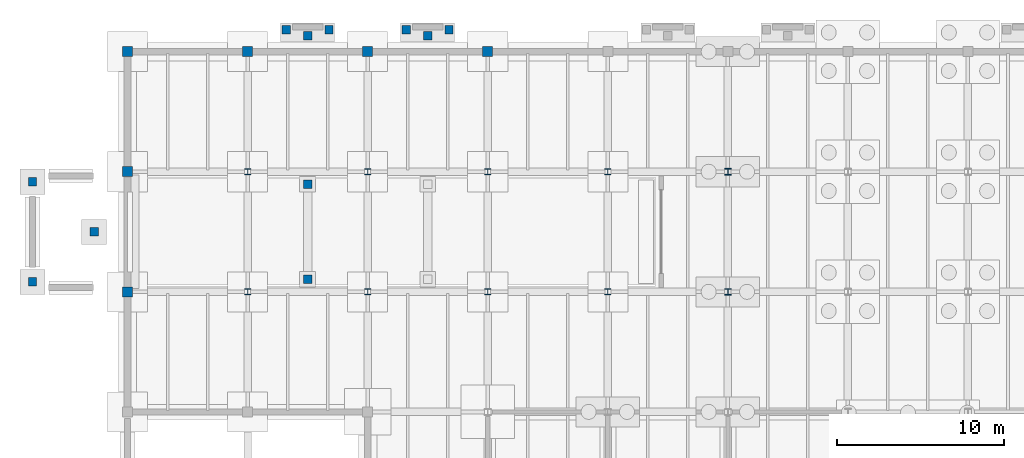
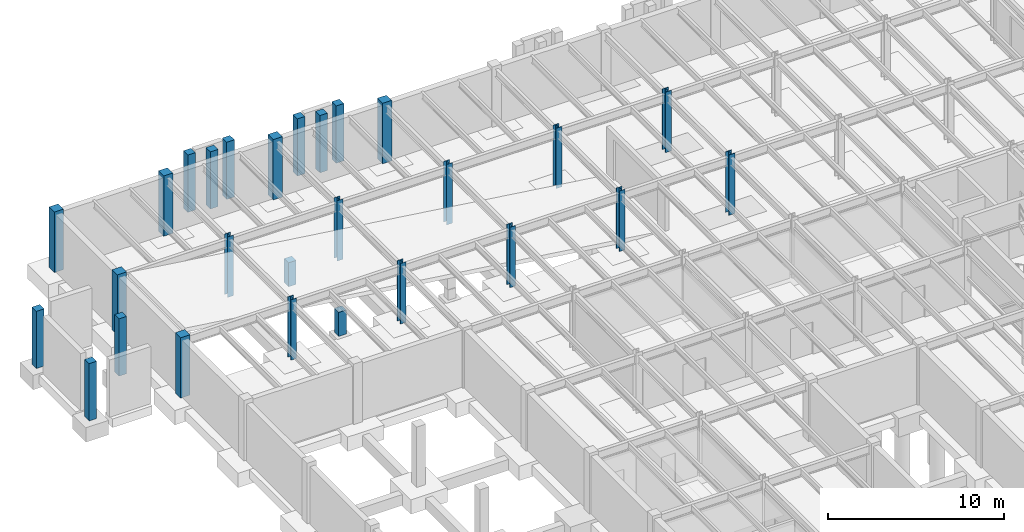
# One storey, part 15 of 46: 27 columns.
"""IFC4 building model written with IfcOpenShell, lengths in metres."""

import ifcopenshell
import ifcopenshell.guid

model = None  # the IFC model being written
_history = None  # IfcOwnerHistory: only IFC2X3 demands one
_inside = {}  # id of a spatial element -> (the spatial element, [elements in it])
_under = {}  # id of a project, library or spatial element -> (it, [spatial elements below it])
_declared = {}  # id of a project -> (the project, [libraries it declares])
_typed = {}  # id of a type object -> (the type object, [elements of that type])
_made_of = {}  # id of a material, layer set ... -> (it, [elements and type objects made of it])


def new_model(schema):
    """Start an empty IFC model of exactly this schema.

    Asked for "IFC4X3", IfcOpenShell would pick the latest addendum, in which some entities
    have other attributes; the version numbers below select the first issue.
    IFC2X3 requires an IfcOwnerHistory on every rooted entity: one is made here for all.
    """
    global model, _history
    if schema == "IFC4X3":
        model = ifcopenshell.file(schema_version=(4, 3, 0, 0))
    else:
        model = ifcopenshell.file(schema=schema)
    _inside.clear()
    _under.clear()
    _declared.clear()
    _typed.clear()
    _made_of.clear()
    _history = None
    if model.schema == "IFC2X3":
        org = make("IfcOrganization", Name="unknown")
        user = make(
            "IfcPersonAndOrganization",
            ThePerson=make("IfcPerson", FamilyName="unknown"),
            TheOrganization=org,
        )
        app = make(
            "IfcApplication",
            ApplicationDeveloper=org,
            Version="unknown",
            ApplicationFullName="unknown",
            ApplicationIdentifier="unknown",
        )
        _history = make(
            "IfcOwnerHistory",
            OwningUser=user,
            OwningApplication=app,
            ChangeAction="ADDED",
            CreationDate=0,
        )
    return model


def make(cls, **values):
    """One entity of the class cls with the attributes given. An attribute that is None is left unset."""
    return model.create_entity(
        cls, **{name: value for name, value in values.items() if value is not None}
    )


def rooted(cls, **values):
    """An entity with a GlobalId (a new one), such as an element, a storey or a relation."""
    return make(cls, GlobalId=ifcopenshell.guid.new(), OwnerHistory=_history, **values)


def si_unit(unit_type, name, prefix=None):
    """IfcSIUnit, for example si_unit("LENGTHUNIT", "METRE", prefix="MILLI")."""
    return make("IfcSIUnit", UnitType=unit_type, Prefix=prefix, Name=name)


def assignment(units):
    """IfcUnitAssignment: the units of a project."""
    return None if units is None else make("IfcUnitAssignment", Units=units)


def point(xyz):
    """IfcCartesianPoint."""
    return None if xyz is None else make("IfcCartesianPoint", Coordinates=xyz)


def direction(xyz):
    """IfcDirection."""
    return None if xyz is None else make("IfcDirection", DirectionRatios=xyz)


def frame(location, z_axis=None, x_axis=None):
    """IfcAxis2Placement3D, a coordinate frame: its origin and axes. An axis left out is left unset."""
    return make(
        "IfcAxis2Placement3D",
        Location=point(location),
        Axis=direction(z_axis),
        RefDirection=direction(x_axis),
    )


def frame_2d(location, x_axis=None):
    """IfcAxis2Placement2D, a coordinate frame in the plane: its origin and x axis."""
    return make(
        "IfcAxis2Placement2D", Location=point(location), RefDirection=direction(x_axis)
    )


def origin():
    """The frame at (0, 0, 0) with its axes left unset."""
    return frame((0.0, 0.0, 0.0))


def origin_2d():
    """The frame at (0, 0) in the plane with its x axis left unset."""
    return frame_2d((0.0, 0.0))


def place(relative_to, where):
    """IfcLocalPlacement: puts the frame where relative to a parent placement (None: the world)."""
    return make(
        "IfcLocalPlacement", PlacementRelTo=relative_to, RelativePlacement=where
    )


def context(
    kind, dimensions, precision=None, world=None, true_north=None, identifier=None
):
    """IfcGeometricRepresentationContext, for example the 3D "Model" context."""
    return make(
        "IfcGeometricRepresentationContext",
        ContextIdentifier=identifier,
        ContextType=kind,
        CoordinateSpaceDimension=dimensions,
        Precision=precision,
        WorldCoordinateSystem=world,
        TrueNorth=true_north,
    )


def subcontext(parent, identifier, kind, view, scale=None):
    """IfcGeometricRepresentationSubContext, for example "Body" below "Model"."""
    return make(
        "IfcGeometricRepresentationSubContext",
        ContextIdentifier=identifier,
        ContextType=kind,
        ParentContext=parent,
        TargetScale=scale,
        TargetView=view,
    )


def project(units=None, contexts=None):
    """IfcProject with its units and contexts."""
    return rooted(
        "IfcProject",
        Name="project",
        RepresentationContexts=contexts,
        UnitsInContext=assignment(units),
    )


def spatial(cls, under=None, at=None, **own):
    """A site, building, storey or space (cls), placed at a placement, below another one or the project."""
    s = rooted(cls, ObjectPlacement=at, **own)
    if under is not None:
        _under.setdefault(under.id(), (under, []))[1].append(s)
    return s


def profile(cls, at=None, kind="AREA", **sizes):
    """A parametric profile (cls). Its sizes go by their IFC names, for example OverallWidth=200.0."""
    return make(cls, ProfileType=kind, Position=at, **sizes)


def rectangle(**sizes):
    """IfcRectangleProfileDef."""
    return profile("IfcRectangleProfileDef", **sizes)


def i_section(**sizes):
    """IfcIShapeProfileDef."""
    return profile("IfcIShapeProfileDef", **sizes)


def extrude(swept, where, along, depth):
    """IfcExtrudedAreaSolid: the profile swept, set in the frame where, extruded along a direction by depth."""
    return make(
        "IfcExtrudedAreaSolid",
        SweptArea=swept,
        Position=where,
        ExtrudedDirection=direction(along),
        Depth=depth,
    )


def shape(context_of_items, identifier, shape_type, items):
    """IfcShapeRepresentation: the items that make up one representation, for example the "Body"."""
    return make(
        "IfcShapeRepresentation",
        ContextOfItems=context_of_items,
        RepresentationIdentifier=identifier,
        RepresentationType=shape_type,
        Items=items,
    )


def material(Name=None, Category=None):
    """IfcMaterial."""
    return make("IfcMaterial", Name=Name, Category=Category)


def material_profile(
    of_material, cross_section, Name=None, Category=None, Priority=None
):
    """IfcMaterialProfile: a cross section and its material."""
    return make(
        "IfcMaterialProfile",
        Name=Name,
        Material=of_material,
        Profile=cross_section,
        Priority=Priority,
        Category=Category,
    )


def profile_set(profiles, Name=None, composite=None):
    """IfcMaterialProfileSet."""
    return make(
        "IfcMaterialProfileSet",
        Name=Name,
        MaterialProfiles=profiles,
        CompositeProfile=composite,
    )


def made_of(thing, what):
    """Note that an element or type object is made of a material, layer set ...; save() writes the relation."""
    if what is not None:
        _made_of.setdefault(what.id(), (what, []))[1].append(thing)
    return thing


def type_object(cls, material=None, **own):
    """A type object (cls), such as IfcWallType, which elements share."""
    return made_of(rooted(cls, **own), material)


def element(
    cls,
    number,
    at=None,
    inside=None,
    cuts=None,
    type_object=None,
    material=None,
    context=None,
    identifier="Body",
    shape_type=None,
    held_by="IfcProductDefinitionShape",
    body=None,
    shapes=None,
    **own,
):
    """One element of the class cls, such as IfcWall. Its Tag is "e" and its number.

    at: its placement. inside: the storey or other place that contains it. cuts: it is an
    opening in that element (IfcRelVoidsElement). A single representation is given by context,
    identifier, shape_type and body (its items); several are given by shapes. held_by: the class
    of the entity that holds the representations. save() writes the other relations.
    """
    e = rooted(cls, Tag="e%d" % number, ObjectPlacement=at, **own)
    if body is not None:
        shapes = [shape(context, identifier, shape_type, body)]
    if shapes is not None:
        e.Representation = make(held_by, Representations=shapes)
    if inside is not None:
        _inside.setdefault(inside.id(), (inside, []))[1].append(e)
    if cuts is not None:
        rooted(
            "IfcRelVoidsElement", RelatingBuildingElement=cuts, RelatedOpeningElement=e
        )
    if type_object is not None:
        _typed.setdefault(type_object.id(), (type_object, []))[1].append(e)
    return made_of(e, material)


def aggregate(whole, parts):
    """IfcRelAggregates: a whole, such as a stair, and the parts it consists of."""
    return rooted("IfcRelAggregates", RelatingObject=whole, RelatedObjects=parts)


def save(model, path):
    """Write the relations noted so far, then the file.

    IfcRelAggregates (storeys below a building ...), IfcRelContainedInSpatialStructure (elements
    in a storey), IfcRelDefinesByType, IfcRelAssociatesMaterial and IfcRelDeclares: one each for
    every whole, place, type object, material and project.
    """
    for whole, parts in _under.values():
        aggregate(whole, parts)
    for where, things in _inside.values():
        rooted(
            "IfcRelContainedInSpatialStructure",
            RelatedElements=things,
            RelatingStructure=where,
        )
    for kind, things in _typed.values():
        rooted("IfcRelDefinesByType", RelatedObjects=things, RelatingType=kind)
    for what, things in _made_of.values():
        rooted("IfcRelAssociatesMaterial", RelatedObjects=things, RelatingMaterial=what)
    for by, libraries in _declared.values():
        rooted("IfcRelDeclares", RelatingContext=by, RelatedDefinitions=libraries)
    model.write(path)


model = new_model("IFC4")

# Units and contexts
model_context = context("Model", 3, precision=1e-05, world=origin(), true_north=direction((0.0, 1.0)))
body_context = subcontext(model_context, "Body", "Model", "MODEL_VIEW")
ifc_project = project(units=[si_unit("LENGTHUNIT", "METRE"), si_unit("AREAUNIT", "SQUARE_METRE"), si_unit("VOLUMEUNIT", "CUBIC_METRE"), si_unit("PLANEANGLEUNIT", "RADIAN"), si_unit("MASSUNIT", "GRAM", prefix="KILO")], contexts=[model_context])

# Site, building, storey
site_placement = place(None, origin())
site = spatial("IfcSite", under=ifc_project, at=site_placement, CompositionType="ELEMENT")
building_placement = place(site_placement, origin())
building = spatial("IfcBuilding", under=site, at=building_placement, Name="Sillqori Civic Hall", CompositionType="ELEMENT")
storey_placement = place(building_placement, frame((0.0, 0.0, -4.199951171875)))
storey = spatial("IfcBuildingStorey", under=building, at=storey_placement, Name="B01", CompositionType="ELEMENT", Elevation=-4.199951171875)

# Columns
ifc_material_1 = material(Name="Concrete C35/45 (H35)", Category="concrete")
ifc_material_profile_1 = material_profile(ifc_material_1, rectangle(XDim=0.5, YDim=0.5, at=origin_2d()), Name="RC 500x500")
ifc_profile_set_1 = profile_set([ifc_material_profile_1], Name="Concrete C35/45 (H35)")
column_type_1 = type_object("IfcColumnType", Name="COL-RC500", PredefinedType="COLUMN", material=ifc_profile_set_1)
for number, where, z_axis, x_axis, name in (
    (1, (1.5, 101.39990234375, 0.0), (0.0, 0.0, 1.0), (1.0, 0.0, 0.0), "Car park ramp grade apron subgrade pier 1"),
    (2, (1.5, 107.39990234375, 0.0), (0.0, 0.0, 1.0), (1.0, 0.0, 0.0), "Car park ramp grade apron subgrade pier 2"),
    (3, (5.199951171875, 104.39990234375, 0.0), (0.0, 0.0, 1.0), (1.0, 0.0, 0.0), "Car park ramp grade apron subgrade pier 3"),
):
    element("IfcColumn", number, at=place(storey_placement, frame(where, z_axis=z_axis, x_axis=x_axis)), inside=storey, type_object=column_type_1, Name=name, PredefinedType="COLUMN", context=body_context, shape_type="SweptSolid", body=[
        extrude(rectangle(XDim=0.5, YDim=0.5, at=origin_2d()), origin(), (0.0, 0.0, 1.0), 3.97998046875),
    ])
for number, where, z_axis, x_axis, name in (
    (4, (18.0, 101.550048828125, 0.0), (0.0, 0.0, 1.0), (1.0, 0.0, 0.0), "Vehicle ramp bent 1 pier 1"),
    (5, (18.0, 107.25, 0.0), (0.0, 0.0, 1.0), (1.0, 0.0, 0.0), "Vehicle ramp bent 1 pier 2"),
):
    element("IfcColumn", number, at=place(storey_placement, frame(where, z_axis=z_axis, x_axis=x_axis)), inside=storey, type_object=column_type_1, Name=name, PredefinedType="COLUMN", context=body_context, shape_type="SweptSolid", body=[
        extrude(rectangle(XDim=0.5, YDim=0.5, at=origin_2d()), origin(), (0.0, 0.0, 1.0), 1.66748046875),
    ])
for number, where, z_axis, x_axis, name in (
    (6, (16.719970703125, 116.52001953125, 0.0), (0.0, 0.0, 1.0), (1.0, 0.0, 0.0), "North Civic Garden Far West Exit subgrade pier 1"),
    (7, (19.280029296875, 116.52001953125, 0.0), (0.0, 0.0, 1.0), (1.0, 0.0, 0.0), "North Civic Garden Far West Exit subgrade pier 2"),
    (8, (18.0, 116.159912109375, 0.0), (0.0, 0.0, 1.0), (1.0, 0.0, 0.0), "North Civic Garden Far West Exit subgrade pier 3"),
    (9, (23.919921875, 116.52001953125, 0.0), (0.0, 0.0, 1.0), (1.0, 0.0, 0.0), "North Civic Garden West Exit subgrade pier 1"),
    (10, (26.47998046875, 116.52001953125, 0.0), (0.0, 0.0, 1.0), (1.0, 0.0, 0.0), "North Civic Garden West Exit subgrade pier 2"),
    (11, (25.199951171875, 116.159912109375, 0.0), (0.0, 0.0, 1.0), (1.0, 0.0, 0.0), "North Civic Garden West Exit subgrade pier 3"),
):
    element("IfcColumn", number, at=place(storey_placement, frame(where, z_axis=z_axis, x_axis=x_axis)), inside=storey, type_object=column_type_1, Name=name, PredefinedType="COLUMN", context=body_context, shape_type="SweptSolid", body=[
        extrude(rectangle(XDim=0.5, YDim=0.5, at=origin_2d()), origin(), (0.0, 0.0, 1.0), 3.97998046875),
    ])
ifc_material_profile_2 = material_profile(ifc_material_1, rectangle(XDim=0.60009765625, YDim=0.60009765625, at=origin_2d()), Name="RC 600x600")
ifc_profile_set_2 = profile_set([ifc_material_profile_2], Name="Concrete C35/45 (H35)")
column_type_2 = type_object("IfcColumnType", Name="COL-RC600", PredefinedType="COLUMN", material=ifc_profile_set_2)
for number, where, z_axis, x_axis, name in (
    (12, (7.199951171875, 100.800048828125, 0.0), (0.0, 0.0, 1.0), (1.0, 0.0, 0.0), "B01 column 1-14"),
    (13, (7.199951171875, 108.0, 0.0), (0.0, 0.0, 1.0), (1.0, 0.0, 0.0), "B01 column 1-15"),
    (14, (7.199951171875, 115.199951171875, 0.0), (0.0, 0.0, 1.0), (1.0, 0.0, 0.0), "B01 column 1-16"),
    (15, (14.39990234375, 115.199951171875, 0.0), (0.0, 0.0, 1.0), (1.0, 0.0, 0.0), "B01 column 2-16"),
    (16, (21.60009765625, 115.199951171875, 0.0), (0.0, 0.0, 1.0), (1.0, 0.0, 0.0), "B01 column 3-16"),
    (17, (28.800048828125, 115.199951171875, 0.0), (0.0, 0.0, 1.0), (1.0, 0.0, 0.0), "B01 column 4-16"),
):
    element("IfcColumn", number, at=place(storey_placement, frame(where, z_axis=z_axis, x_axis=x_axis)), inside=storey, type_object=column_type_2, Name=name, PredefinedType="COLUMN", context=body_context, shape_type="SweptSolid", body=[
        extrude(rectangle(XDim=0.60009765625, YDim=0.60009765625, at=origin_2d()), origin(), (0.0, 0.0, 1.0), 4.199951171875),
    ])
ifc_material_2 = material(Name="Steel ASTM A992", Category="steel")
ifc_material_profile_3 = material_profile(ifc_material_2, i_section(OverallWidth=0.373046875, OverallDepth=0.367919921875, WebThickness=0.014892578125, FlangeThickness=0.02392578125, FilletRadius=0.014892578125, at=origin_2d()), Name="W14X120")
ifc_profile_set_3 = profile_set([ifc_material_profile_3], Name="Steel ASTM A992")
column_type_3 = type_object("IfcColumnType", Name="COL-W14X120", PredefinedType="COLUMN", material=ifc_profile_set_3)
for number, where, z_axis, x_axis, name in (
    (18, (36.0, 100.800048828125, 0.0), (0.0, 0.0, 1.0), (1.0, 0.0, 0.0), "B01 column 5-14"),
    (19, (36.0, 108.0, 0.0), (0.0, 0.0, 1.0), (1.0, 0.0, 0.0), "B01 column 5-15"),
):
    element("IfcColumn", number, at=place(storey_placement, frame(where, z_axis=z_axis, x_axis=x_axis)), inside=storey, type_object=column_type_3, Name=name, PredefinedType="COLUMN", context=body_context, shape_type="SweptSolid", body=[
        extrude(i_section(OverallWidth=0.373046875, OverallDepth=0.367919921875, WebThickness=0.014892578125, FlangeThickness=0.02392578125, FilletRadius=0.014892578125, at=origin_2d()), origin(), (0.0, 0.0, 1.0), 4.199951171875),
    ])
ifc_material_profile_4 = material_profile(ifc_material_2, i_section(OverallWidth=0.39892578125, OverallDepth=0.39404296875, WebThickness=0.022705078125, FlangeThickness=0.03662109375, FilletRadius=0.014892578125, at=origin_2d()), Name="W14X193")
ifc_profile_set_4 = profile_set([ifc_material_profile_4], Name="Steel ASTM A992")
column_type_4 = type_object("IfcColumnType", Name="COL-W14X193", PredefinedType="COLUMN", material=ifc_profile_set_4)
for number, where, z_axis, x_axis, name in (
    (20, (43.199951171875, 100.800048828125, 0.0), (0.0, 0.0, 1.0), (1.0, 0.0, 0.0), "B01 column 6-14"),
    (21, (43.199951171875, 108.0, 0.0), (0.0, 0.0, 1.0), (1.0, 0.0, 0.0), "B01 column 6-15"),
):
    element("IfcColumn", number, at=place(storey_placement, frame(where, z_axis=z_axis, x_axis=x_axis)), inside=storey, type_object=column_type_4, Name=name, PredefinedType="COLUMN", context=body_context, shape_type="SweptSolid", body=[
        extrude(i_section(OverallWidth=0.39892578125, OverallDepth=0.39404296875, WebThickness=0.022705078125, FlangeThickness=0.03662109375, FilletRadius=0.014892578125, at=origin_2d()), origin(), (0.0, 0.0, 1.0), 4.199951171875),
    ])
ifc_material_profile_5 = material_profile(ifc_material_2, i_section(OverallWidth=0.37109375, OverallDepth=0.361083984375, WebThickness=0.012451171875, FlangeThickness=0.019775390625, FilletRadius=0.014892578125, at=origin_2d()), Name="W14X99")
ifc_profile_set_5 = profile_set([ifc_material_profile_5], Name="Steel ASTM A992")
column_type_5 = type_object("IfcColumnType", Name="COL-W14X99", PredefinedType="COLUMN", material=ifc_profile_set_5)
for number, where, z_axis, x_axis, name in (
    (22, (14.39990234375, 100.800048828125, 0.0), (0.0, 0.0, 1.0), (1.0, 0.0, 0.0), "B01 column 2-14"),
    (23, (14.39990234375, 108.0, 0.0), (0.0, 0.0, 1.0), (1.0, 0.0, 0.0), "B01 column 2-15"),
    (24, (21.60009765625, 100.800048828125, 0.0), (0.0, 0.0, 1.0), (1.0, 0.0, 0.0), "B01 column 3-14"),
    (25, (21.60009765625, 108.0, 0.0), (0.0, 0.0, 1.0), (1.0, 0.0, 0.0), "B01 column 3-15"),
    (26, (28.800048828125, 100.800048828125, 0.0), (0.0, 0.0, 1.0), (1.0, 0.0, 0.0), "B01 column 4-14"),
    (27, (28.800048828125, 108.0, 0.0), (0.0, 0.0, 1.0), (1.0, 0.0, 0.0), "B01 column 4-15"),
):
    element("IfcColumn", number, at=place(storey_placement, frame(where, z_axis=z_axis, x_axis=x_axis)), inside=storey, type_object=column_type_5, Name=name, PredefinedType="COLUMN", context=body_context, shape_type="SweptSolid", body=[
        extrude(i_section(OverallWidth=0.37109375, OverallDepth=0.361083984375, WebThickness=0.012451171875, FlangeThickness=0.019775390625, FilletRadius=0.014892578125, at=origin_2d()), origin(), (0.0, 0.0, 1.0), 4.199951171875),
    ])

save(model, "model.ifc")
